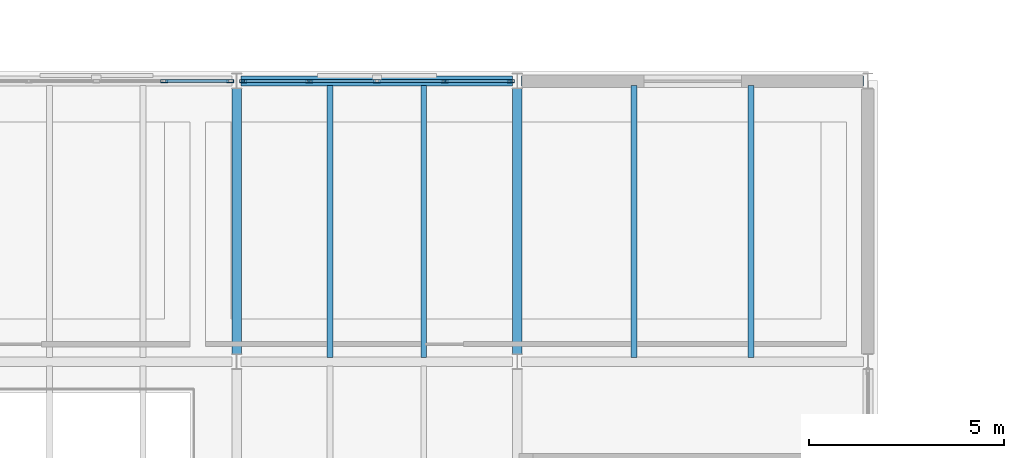
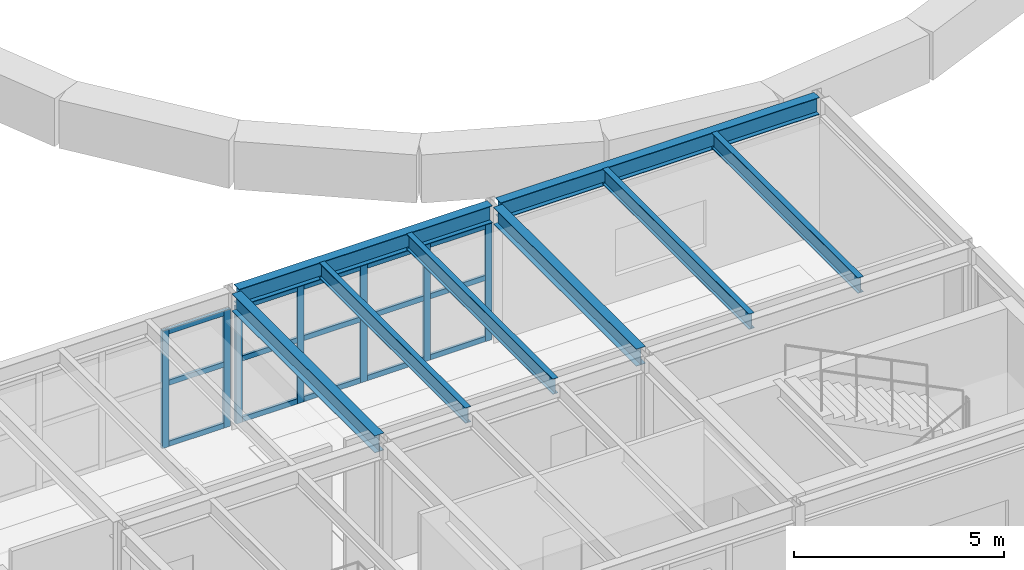
# One storey, part 21 of 37: 22 members, 8 beams, 2 elements without a shape of their own.
"""IFC4 building model written with IfcOpenShell, lengths in metres."""

from ifc_helpers import new_model, si_unit, direction, frame, origin, origin_2d, place, context, subcontext, project, spatial, hollow_rectangle, i_section, extrude, material, layer, layer_set, material_profile, profile_set, type_object, element, aggregate, save


model = new_model("IFC4")

# Units and contexts
model_context = context("Model", 3, precision=1e-05, world=origin(), true_north=direction((0.0, 1.0)))
body_context = subcontext(model_context, "Body", "Model", "MODEL_VIEW")
ifc_project = project(units=[si_unit("LENGTHUNIT", "METRE"), si_unit("AREAUNIT", "SQUARE_METRE"), si_unit("VOLUMEUNIT", "CUBIC_METRE"), si_unit("PLANEANGLEUNIT", "RADIAN"), si_unit("MASSUNIT", "GRAM", prefix="KILO")], contexts=[model_context])

# Site, building, storey
site_placement = place(None, origin())
site = spatial("IfcSite", under=ifc_project, at=site_placement, CompositionType="ELEMENT")
building_placement = place(site_placement, origin())
building = spatial("IfcBuilding", under=site, at=building_placement, Name="Kandorven Conservatory and Botanical Research Centre", CompositionType="ELEMENT")
storey_placement = place(building_placement, frame((0.0, 0.0, 9.0)))
storey = spatial("IfcBuildingStorey", under=building, at=storey_placement, Name="L02", CompositionType="ELEMENT", Elevation=9.0)

# Beams
ifc_material_1 = material(Name="Steel S355 (IS 2062 E350)", Category="steel")
ifc_material_profile_1 = material_profile(ifc_material_1, i_section(OverallWidth=0.25, OverallDepth=0.5, WebThickness=0.010009765625, FlangeThickness=0.0146484375, at=origin_2d()))
ifc_profile_set_1 = profile_set([ifc_material_profile_1], Name="Steel S355 (IS 2062 E350)")
beam_type_1 = type_object("IfcBeamType", Name="Beam_FG-02", PredefinedType="USERDEFINED", material=ifc_profile_set_1)
beam_1_placement = place(storey_placement, frame((70.9150390625, 27.60009765625, 3.7099609375), z_axis=(1.0, 0.0, 0.0), x_axis=(0.0, 1.0, 0.0)))
element("IfcBeam", 1, at=beam_1_placement, inside=storey, type_object=beam_type_1, Name="Primary girder FG-02 VIS L02", ObjectType="GIRDER", PredefinedType="USERDEFINED", context=body_context, shape_type="SweptSolid", body=[
    extrude(i_section(OverallWidth=0.25, OverallDepth=0.5, WebThickness=0.010009765625, FlangeThickness=0.0146484375, at=origin_2d()), origin(), (0.0, 0.0, 1.0), 6.969970703125),
])
beam_2_placement = place(storey_placement, frame((78.114990234375, 27.60009765625, 3.7099609375), z_axis=(1.0, 0.0, 0.0), x_axis=(0.0, 1.0, 0.0)))
element("IfcBeam", 2, at=beam_2_placement, inside=storey, type_object=beam_type_1, Name="Primary girder FG-02 VIS L02", ObjectType="GIRDER", PredefinedType="USERDEFINED", context=body_context, shape_type="SweptSolid", body=[
    extrude(i_section(OverallWidth=0.25, OverallDepth=0.5, WebThickness=0.010009765625, FlangeThickness=0.0146484375, at=origin_2d()), origin(), (0.0, 0.0, 1.0), 8.77001953125),
])
for number, where, z_axis, x_axis, name in (
    (3, (70.800048828125, 20.590087890625, 3.7099609375), (0.0, 1.0, 0.0), (-1.0, 0.0, 0.0), "Primary girder FG-02 VIS L02"),
    (4, (78.0, 20.590087890625, 3.7099609375), (0.0, 1.0, 0.0), (-1.0, 0.0, 0.0), "Primary girder FG-02 VIS L02"),
):
    element("IfcBeam", number, at=place(storey_placement, frame(where, z_axis=z_axis, x_axis=x_axis)), inside=storey, type_object=beam_type_1, Name=name, ObjectType="GIRDER", PredefinedType="USERDEFINED", context=body_context, shape_type="SweptSolid", body=[
        extrude(i_section(OverallWidth=0.25, OverallDepth=0.5, WebThickness=0.010009765625, FlangeThickness=0.0146484375, at=origin_2d()), origin(), (0.0, 0.0, 1.0), 6.81982421875),
    ])
ifc_material_2 = material(Name="Steel S355 (IS 2062 E350)", Category="steel")
ifc_material_profile_2 = material_profile(ifc_material_2, i_section(OverallWidth=0.14990234375, OverallDepth=0.449951171875, WebThickness=0.009521484375, FlangeThickness=0.017333984375, at=origin_2d()))
ifc_profile_set_2 = profile_set([ifc_material_profile_2], Name="Steel S355 (IS 2062 E350)")
beam_type_2 = type_object("IfcBeamType", Name="Beam_SB-04", PredefinedType="BEAM", material=ifc_profile_set_2)
for number, where, z_axis, x_axis, name in (
    (5, (73.199951171875, 20.510009765625, 3.735107421875), (0.0, 1.0, 0.0), (-1.0, 0.0, 0.0), "Composite secondary beam SB-04 VIS L02"),
    (6, (75.60009765625, 20.510009765625, 3.735107421875), (0.0, 1.0, 0.0), (-1.0, 0.0, 0.0), "Composite secondary beam SB-04 VIS L02"),
    (7, (81.0, 20.510009765625, 3.735107421875), (0.0, 1.0, 0.0), (-1.0, 0.0, 0.0), "Composite secondary beam SB-04 VIS L02"),
    (8, (84.0, 20.510009765625, 3.735107421875), (0.0, 1.0, 0.0), (-1.0, 0.0, 0.0), "Composite secondary beam SB-04 VIS L02"),
):
    element("IfcBeam", number, at=place(storey_placement, frame(where, z_axis=z_axis, x_axis=x_axis)), inside=storey, type_object=beam_type_2, Name=name, PredefinedType="BEAM", context=body_context, shape_type="SweptSolid", body=[
        extrude(i_section(OverallWidth=0.14990234375, OverallDepth=0.449951171875, WebThickness=0.009521484375, FlangeThickness=0.017333984375, at=origin_2d()), origin(), (0.0, 0.0, 1.0), 6.97998046875),
    ])

# Curtain wall, members
ifc_material_3 = material(Name="Bronze anodised thermally broken aluminium", Category="aluminium")
ifc_layer = layer(ifc_material_3, 0.179931640625)
ifc_layer_set = layer_set([ifc_layer], Name="Bronze anodised thermally broken aluminium")
curtain_wall_type = type_object("IfcCurtainWallType", Name="CW_Unitised", PredefinedType="USERDEFINED", material=ifc_layer_set)
curtain_wall_1_placement = place(storey_placement, origin())
curtain_wall_1 = element("IfcCurtainWall", 9, at=curtain_wall_1_placement, inside=storey, type_object=curtain_wall_type, Name="Visitor wing unitised curtain wall CW-VIS-N-L02-4", ObjectType="UNITISED GLAZING", PredefinedType="USERDEFINED")
ifc_material_4 = material(Name="Bronze anodised thermally broken aluminium", Category="aluminium")
ifc_material_profile_3 = material_profile(ifc_material_4, hollow_rectangle(XDim=0.080078125, YDim=0.179931640625, WallThickness=0.006103515625, at=origin_2d()))
ifc_profile_set_3 = profile_set([ifc_material_profile_3], Name="Bronze anodised thermally broken aluminium")
member_type_1 = type_object("IfcMemberType", Name="CW_Mullion", PredefinedType="MULLION", material=ifc_profile_set_3)
member_1_placement = place(storey_placement, frame((68.9375, 27.60009765625, 0.0), z_axis=(0.0, 0.0, 1.0), x_axis=(0.0, 1.0, 0.0)))
member_1 = element("IfcMember", 10, at=member_1_placement, type_object=member_type_1, Name="CW-01 mullion 4", PredefinedType="MULLION", context=body_context, shape_type="SweptSolid", body=[
    extrude(hollow_rectangle(XDim=0.080078125, YDim=0.179931640625, WallThickness=0.006103515625, at=origin_2d()), origin(), (0.0, 0.0, 1.0), 3.419921875),
])
member_2_placement = place(storey_placement, frame((70.635009765625, 27.60009765625, 0.0), z_axis=(0.0, 0.0, 1.0), x_axis=(0.0, 1.0, 0.0)))
member_2 = element("IfcMember", 11, at=member_2_placement, type_object=member_type_1, Name="CW-01 mullion 5", PredefinedType="MULLION", context=body_context, shape_type="SweptSolid", body=[
    extrude(hollow_rectangle(XDim=0.080078125, YDim=0.179931640625, WallThickness=0.006103515625, at=origin_2d()), origin(), (0.0, 0.0, 1.0), 3.419921875),
])

curtain_wall_2_placement = place(storey_placement, origin())
curtain_wall_2 = element("IfcCurtainWall", 12, at=curtain_wall_2_placement, inside=storey, type_object=curtain_wall_type, Name="Visitor wing unitised curtain wall CW-VIS-N-L02-5", ObjectType="UNITISED GLAZING", PredefinedType="USERDEFINED")
member_3_placement = place(storey_placement, frame((70.965087890625, 27.60009765625, 0.0), z_axis=(0.0, 0.0, 1.0), x_axis=(0.0, 1.0, 0.0)))
member_3 = element("IfcMember", 13, at=member_3_placement, type_object=member_type_1, Name="CW-01 mullion 1", PredefinedType="MULLION", context=body_context, shape_type="SweptSolid", body=[
    extrude(hollow_rectangle(XDim=0.080078125, YDim=0.179931640625, WallThickness=0.006103515625, at=origin_2d()), origin(), (0.0, 0.0, 1.0), 3.419921875),
])
member_4_placement = place(storey_placement, frame((72.66259765625, 27.60009765625, 0.0), z_axis=(0.0, 0.0, 1.0), x_axis=(0.0, 1.0, 0.0)))
member_4 = element("IfcMember", 14, at=member_4_placement, type_object=member_type_1, Name="CW-01 mullion 2", PredefinedType="MULLION", context=body_context, shape_type="SweptSolid", body=[
    extrude(hollow_rectangle(XDim=0.080078125, YDim=0.179931640625, WallThickness=0.006103515625, at=origin_2d()), origin(), (0.0, 0.0, 1.0), 3.419921875),
])
member_5_placement = place(storey_placement, frame((74.39990234375, 27.60009765625, 0.0), z_axis=(0.0, 0.0, 1.0), x_axis=(0.0, 1.0, 0.0)))
member_5 = element("IfcMember", 15, at=member_5_placement, type_object=member_type_1, Name="CW-01 mullion 3", PredefinedType="MULLION", context=body_context, shape_type="SweptSolid", body=[
    extrude(hollow_rectangle(XDim=0.080078125, YDim=0.179931640625, WallThickness=0.006103515625, at=origin_2d()), origin(), (0.0, 0.0, 1.0), 3.419921875),
])
member_6_placement = place(storey_placement, frame((76.137451171875, 27.60009765625, 0.0), z_axis=(0.0, 0.0, 1.0), x_axis=(0.0, 1.0, 0.0)))
member_6 = element("IfcMember", 16, at=member_6_placement, type_object=member_type_1, Name="CW-01 mullion 4", PredefinedType="MULLION", context=body_context, shape_type="SweptSolid", body=[
    extrude(hollow_rectangle(XDim=0.080078125, YDim=0.179931640625, WallThickness=0.006103515625, at=origin_2d()), origin(), (0.0, 0.0, 1.0), 3.419921875),
])
member_7_placement = place(storey_placement, frame((77.8349609375, 27.60009765625, 0.0), z_axis=(0.0, 0.0, 1.0), x_axis=(0.0, 1.0, 0.0)))
member_7 = element("IfcMember", 17, at=member_7_placement, type_object=member_type_1, Name="CW-01 mullion 5", PredefinedType="MULLION", context=body_context, shape_type="SweptSolid", body=[
    extrude(hollow_rectangle(XDim=0.080078125, YDim=0.179931640625, WallThickness=0.006103515625, at=origin_2d()), origin(), (0.0, 0.0, 1.0), 3.419921875),
])

# Member
ifc_material_5 = material(Name="Bronze anodised thermally broken aluminium", Category="aluminium")
ifc_material_profile_4 = material_profile(ifc_material_5, hollow_rectangle(XDim=0.074951171875, YDim=0.14990234375, WallThickness=0.006103515625, at=origin_2d()))
ifc_profile_set_4 = profile_set([ifc_material_profile_4], Name="Bronze anodised thermally broken aluminium")
member_type_2 = type_object("IfcMemberType", Name="CW_Transom", PredefinedType="USERDEFINED", material=ifc_profile_set_4)
member_8_placement = place(storey_placement, frame((68.9775390625, 27.60009765625, 0.074951171875), z_axis=(1.0, 0.0, 0.0), x_axis=(0.0, 1.0, 0.0)))
member_8 = element("IfcMember", 18, at=member_8_placement, type_object=member_type_2, Name="CW-01 transom 4.1", ObjectType="TRANSOM", PredefinedType="USERDEFINED", context=body_context, shape_type="SweptSolid", body=[
    extrude(hollow_rectangle(XDim=0.074951171875, YDim=0.14990234375, WallThickness=0.006103515625, at=origin_2d()), origin(), (0.0, 0.0, 1.0), 1.617431640625),
])

member_9_placement = place(storey_placement, frame((68.9775390625, 27.60009765625, 1.85009765625), z_axis=(1.0, 0.0, 0.0), x_axis=(0.0, 1.0, 0.0)))
member_9 = element("IfcMember", 19, at=member_9_placement, type_object=member_type_2, Name="CW-01 transom 4.2", ObjectType="TRANSOM", PredefinedType="USERDEFINED", context=body_context, shape_type="SweptSolid", body=[
    extrude(hollow_rectangle(XDim=0.074951171875, YDim=0.14990234375, WallThickness=0.006103515625, at=origin_2d()), origin(), (0.0, 0.0, 1.0), 1.617431640625),
])

member_10_placement = place(storey_placement, frame((68.9775390625, 27.60009765625, 3.344970703125), z_axis=(1.0, 0.0, 0.0), x_axis=(0.0, 1.0, 0.0)))
member_10 = element("IfcMember", 20, at=member_10_placement, type_object=member_type_2, Name="CW-01 transom 4.3", ObjectType="TRANSOM", PredefinedType="USERDEFINED", context=body_context, shape_type="SweptSolid", body=[
    extrude(hollow_rectangle(XDim=0.074951171875, YDim=0.14990234375, WallThickness=0.006103515625, at=origin_2d()), origin(), (0.0, 0.0, 1.0), 1.617431640625),
])

aggregate(curtain_wall_1, [member_1, member_2, member_8, member_9, member_10])

member_11_placement = place(storey_placement, frame((71.0048828125, 27.60009765625, 0.074951171875), z_axis=(1.0, 0.0, 0.0), x_axis=(0.0, 1.0, 0.0)))
member_11 = element("IfcMember", 21, at=member_11_placement, type_object=member_type_2, Name="CW-01 transom 1.1", ObjectType="TRANSOM", PredefinedType="USERDEFINED", context=body_context, shape_type="SweptSolid", body=[
    extrude(hollow_rectangle(XDim=0.074951171875, YDim=0.14990234375, WallThickness=0.006103515625, at=origin_2d()), origin(), (0.0, 0.0, 1.0), 1.61767578125),
])

member_12_placement = place(storey_placement, frame((71.0048828125, 27.60009765625, 1.85009765625), z_axis=(1.0, 0.0, 0.0), x_axis=(0.0, 1.0, 0.0)))
member_12 = element("IfcMember", 22, at=member_12_placement, type_object=member_type_2, Name="CW-01 transom 1.2", ObjectType="TRANSOM", PredefinedType="USERDEFINED", context=body_context, shape_type="SweptSolid", body=[
    extrude(hollow_rectangle(XDim=0.074951171875, YDim=0.14990234375, WallThickness=0.006103515625, at=origin_2d()), origin(), (0.0, 0.0, 1.0), 1.61767578125),
])

member_13_placement = place(storey_placement, frame((71.0048828125, 27.60009765625, 3.344970703125), z_axis=(1.0, 0.0, 0.0), x_axis=(0.0, 1.0, 0.0)))
member_13 = element("IfcMember", 23, at=member_13_placement, type_object=member_type_2, Name="CW-01 transom 1.3", ObjectType="TRANSOM", PredefinedType="USERDEFINED", context=body_context, shape_type="SweptSolid", body=[
    extrude(hollow_rectangle(XDim=0.074951171875, YDim=0.14990234375, WallThickness=0.006103515625, at=origin_2d()), origin(), (0.0, 0.0, 1.0), 1.61767578125),
])

member_14_placement = place(storey_placement, frame((72.702392578125, 27.60009765625, 0.074951171875), z_axis=(1.0, 0.0, 0.0), x_axis=(0.0, 1.0, 0.0)))
member_14 = element("IfcMember", 24, at=member_14_placement, type_object=member_type_2, Name="CW-01 transom 2.1", ObjectType="TRANSOM", PredefinedType="USERDEFINED", context=body_context, shape_type="SweptSolid", body=[
    extrude(hollow_rectangle(XDim=0.074951171875, YDim=0.14990234375, WallThickness=0.006103515625, at=origin_2d()), origin(), (0.0, 0.0, 1.0), 1.65771484375),
])

member_15_placement = place(storey_placement, frame((72.702392578125, 27.60009765625, 1.85009765625), z_axis=(1.0, 0.0, 0.0), x_axis=(0.0, 1.0, 0.0)))
member_15 = element("IfcMember", 25, at=member_15_placement, type_object=member_type_2, Name="CW-01 transom 2.2", ObjectType="TRANSOM", PredefinedType="USERDEFINED", context=body_context, shape_type="SweptSolid", body=[
    extrude(hollow_rectangle(XDim=0.074951171875, YDim=0.14990234375, WallThickness=0.006103515625, at=origin_2d()), origin(), (0.0, 0.0, 1.0), 1.65771484375),
])

member_16_placement = place(storey_placement, frame((72.702392578125, 27.60009765625, 3.344970703125), z_axis=(1.0, 0.0, 0.0), x_axis=(0.0, 1.0, 0.0)))
member_16 = element("IfcMember", 26, at=member_16_placement, type_object=member_type_2, Name="CW-01 transom 2.3", ObjectType="TRANSOM", PredefinedType="USERDEFINED", context=body_context, shape_type="SweptSolid", body=[
    extrude(hollow_rectangle(XDim=0.074951171875, YDim=0.14990234375, WallThickness=0.006103515625, at=origin_2d()), origin(), (0.0, 0.0, 1.0), 1.65771484375),
])

member_17_placement = place(storey_placement, frame((74.43994140625, 27.60009765625, 0.074951171875), z_axis=(1.0, 0.0, 0.0), x_axis=(0.0, 1.0, 0.0)))
member_17 = element("IfcMember", 27, at=member_17_placement, type_object=member_type_2, Name="CW-01 transom 3.1", ObjectType="TRANSOM", PredefinedType="USERDEFINED", context=body_context, shape_type="SweptSolid", body=[
    extrude(hollow_rectangle(XDim=0.074951171875, YDim=0.14990234375, WallThickness=0.006103515625, at=origin_2d()), origin(), (0.0, 0.0, 1.0), 1.657470703125),
])

member_18_placement = place(storey_placement, frame((74.43994140625, 27.60009765625, 1.85009765625), z_axis=(1.0, 0.0, 0.0), x_axis=(0.0, 1.0, 0.0)))
member_18 = element("IfcMember", 28, at=member_18_placement, type_object=member_type_2, Name="CW-01 transom 3.2", ObjectType="TRANSOM", PredefinedType="USERDEFINED", context=body_context, shape_type="SweptSolid", body=[
    extrude(hollow_rectangle(XDim=0.074951171875, YDim=0.14990234375, WallThickness=0.006103515625, at=origin_2d()), origin(), (0.0, 0.0, 1.0), 1.657470703125),
])

member_19_placement = place(storey_placement, frame((74.43994140625, 27.60009765625, 3.344970703125), z_axis=(1.0, 0.0, 0.0), x_axis=(0.0, 1.0, 0.0)))
member_19 = element("IfcMember", 29, at=member_19_placement, type_object=member_type_2, Name="CW-01 transom 3.3", ObjectType="TRANSOM", PredefinedType="USERDEFINED", context=body_context, shape_type="SweptSolid", body=[
    extrude(hollow_rectangle(XDim=0.074951171875, YDim=0.14990234375, WallThickness=0.006103515625, at=origin_2d()), origin(), (0.0, 0.0, 1.0), 1.657470703125),
])

member_20_placement = place(storey_placement, frame((76.177490234375, 27.60009765625, 0.074951171875), z_axis=(1.0, 0.0, 0.0), x_axis=(0.0, 1.0, 0.0)))
member_20 = element("IfcMember", 30, at=member_20_placement, type_object=member_type_2, Name="CW-01 transom 4.1", ObjectType="TRANSOM", PredefinedType="USERDEFINED", context=body_context, shape_type="SweptSolid", body=[
    extrude(hollow_rectangle(XDim=0.074951171875, YDim=0.14990234375, WallThickness=0.006103515625, at=origin_2d()), origin(), (0.0, 0.0, 1.0), 1.617431640625),
])

member_21_placement = place(storey_placement, frame((76.177490234375, 27.60009765625, 1.85009765625), z_axis=(1.0, 0.0, 0.0), x_axis=(0.0, 1.0, 0.0)))
member_21 = element("IfcMember", 31, at=member_21_placement, type_object=member_type_2, Name="CW-01 transom 4.2", ObjectType="TRANSOM", PredefinedType="USERDEFINED", context=body_context, shape_type="SweptSolid", body=[
    extrude(hollow_rectangle(XDim=0.074951171875, YDim=0.14990234375, WallThickness=0.006103515625, at=origin_2d()), origin(), (0.0, 0.0, 1.0), 1.617431640625),
])

member_22_placement = place(storey_placement, frame((76.177490234375, 27.60009765625, 3.344970703125), z_axis=(1.0, 0.0, 0.0), x_axis=(0.0, 1.0, 0.0)))
member_22 = element("IfcMember", 32, at=member_22_placement, type_object=member_type_2, Name="CW-01 transom 4.3", ObjectType="TRANSOM", PredefinedType="USERDEFINED", context=body_context, shape_type="SweptSolid", body=[
    extrude(hollow_rectangle(XDim=0.074951171875, YDim=0.14990234375, WallThickness=0.006103515625, at=origin_2d()), origin(), (0.0, 0.0, 1.0), 1.617431640625),
])

aggregate(curtain_wall_2, [member_3, member_4, member_5, member_6, member_7, member_11, member_12, member_13, member_14, member_15, member_16, member_17, member_18, member_19, member_20, member_21, member_22])

save(model, "model.ifc")
